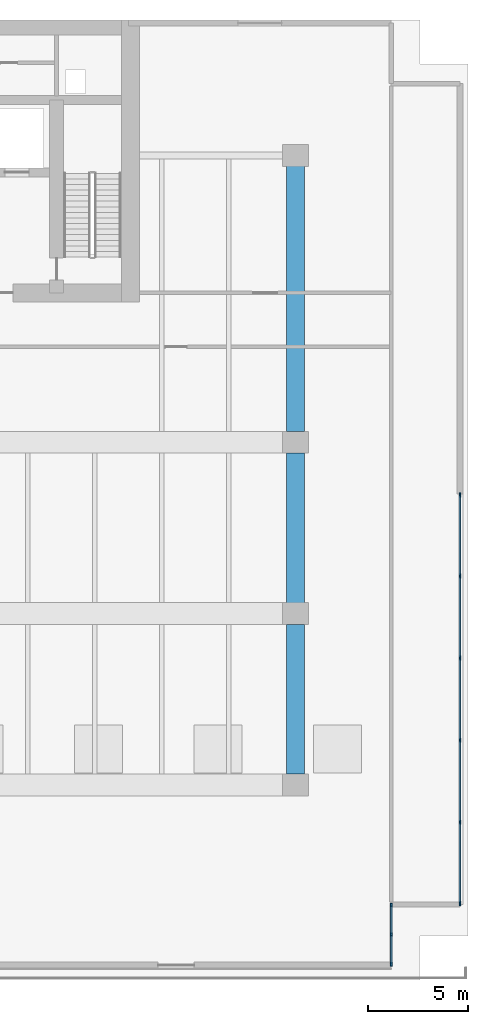
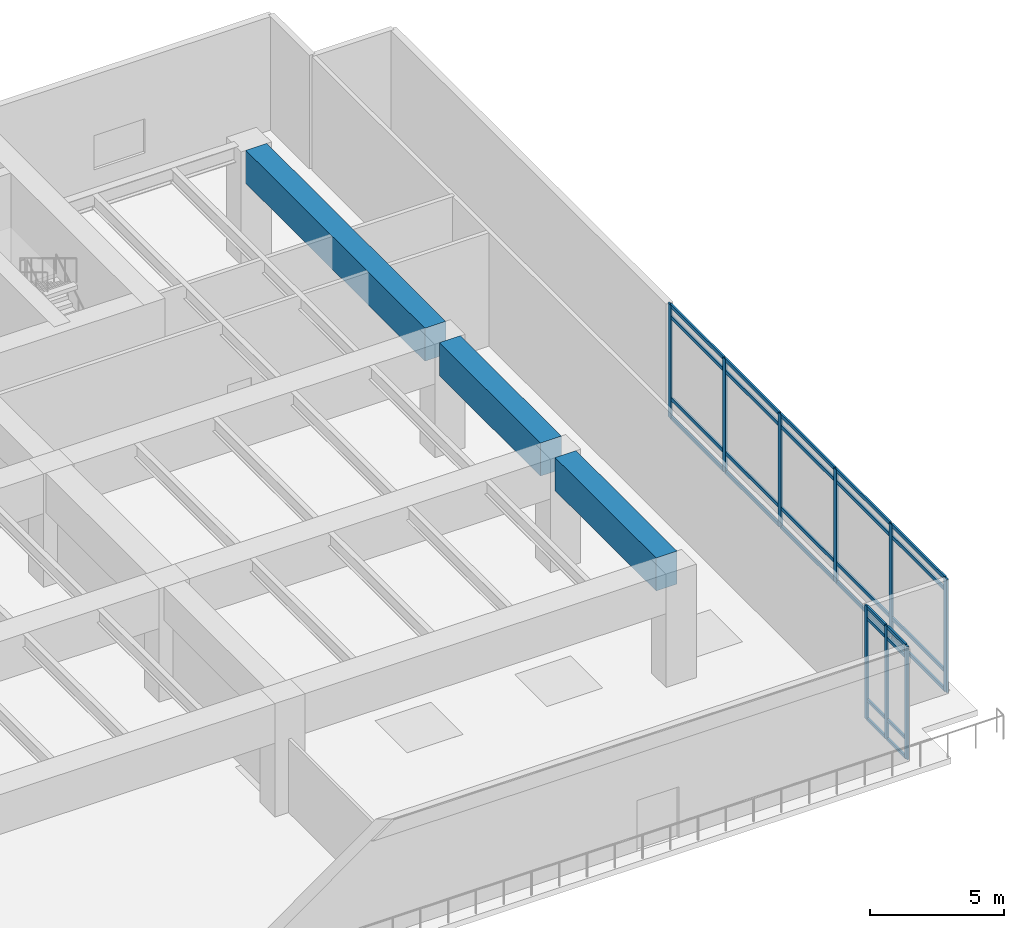
# One storey, part 4 of 12: 37 members, 3 beams, 2 elements without a shape of their own.
"""IFC4 building model written with IfcOpenShell, lengths in metres."""

from ifc_helpers import new_model, si_unit, direction, frame, origin, origin_2d, place, context, subcontext, project, spatial, rectangle, extrude, material, layer, layer_set, material_profile, profile_set, type_object, element, aggregate, save


model = new_model("IFC4")

# Units and contexts
model_context = context("Model", 3, precision=1e-05, world=origin(), true_north=direction((0.0, 1.0)))
body_context = subcontext(model_context, "Body", "Model", "MODEL_VIEW")
ifc_project = project(units=[si_unit("LENGTHUNIT", "METRE"), si_unit("AREAUNIT", "SQUARE_METRE"), si_unit("VOLUMEUNIT", "CUBIC_METRE"), si_unit("PLANEANGLEUNIT", "RADIAN"), si_unit("MASSUNIT", "GRAM", prefix="KILO")], contexts=[model_context])

# Site, building, storey
site_placement = place(None, origin())
site = spatial("IfcSite", under=ifc_project, at=site_placement, CompositionType="ELEMENT")
building_placement = place(site_placement, origin())
building = spatial("IfcBuilding", under=site, at=building_placement, Name="Caelmar Bay Residences", CompositionType="ELEMENT")
storey_placement = place(building_placement, frame((0.0, 0.0, 24.60009765625)))
storey = spatial("IfcBuildingStorey", under=building, at=storey_placement, Name="L05", CompositionType="ELEMENT", Elevation=24.60009765625)

# Beams
ifc_material_1 = material(Name="Concrete f'c 70 MPa (10,000 psi)", Category="concrete")
ifc_material_profile_1 = material_profile(ifc_material_1, rectangle(XDim=0.89990234375, YDim=1.5, at=origin_2d()), Name="RC-BM-900X1500")
ifc_profile_set_1 = profile_set([ifc_material_profile_1], Name="Concrete f'c 70 MPa (10,000 psi)")
beam_type = type_object("IfcBeamType", Name="BM-XFR-900X1500", PredefinedType="BEAM", material=ifc_profile_set_1)
for number, where, z_axis, x_axis, name in (
    (1, (67.89990234375, 12.739990234375, 4.39990234375), (0.0, 1.0, 0.0), (-1.0, 0.0, 0.0), "L05 North-South Girder X=67.90 (12.2-20.8)"),
    (2, (67.89990234375, 21.340087890625, 4.39990234375), (0.0, 1.0, 0.0), (-1.0, 0.0, 0.0), "L05 North-South Girder X=67.90 (20.8-29.4)"),
):
    element("IfcBeam", number, at=place(storey_placement, frame(where, z_axis=z_axis, x_axis=x_axis)), inside=storey, type_object=beam_type, Name=name, PredefinedType="BEAM", context=body_context, shape_type="SweptSolid", body=[
        extrude(rectangle(XDim=0.89990234375, YDim=1.5, at=origin_2d()), origin(), (0.0, 0.0, 1.0), 7.52001953125),
    ])
beam_placement = place(storey_placement, frame((67.89990234375, 29.93994140625, 4.39990234375), z_axis=(0.0, 1.0, 0.0), x_axis=(-1.0, 0.0, 0.0)))
element("IfcBeam", 3, at=beam_placement, inside=storey, type_object=beam_type, Name="L05 North-South Girder X=67.90 (29.4-43.8)", PredefinedType="BEAM", context=body_context, shape_type="SweptSolid", body=[
    extrude(rectangle(XDim=0.89990234375, YDim=1.5, at=origin_2d()), origin(), (0.0, 0.0, 1.0), 13.320068359375),
])

# Curtain wall, members
ifc_material_2 = material(Name="Anodised bronze aluminium 6063-T6 and laminated glass", Category="aluminium")
ifc_layer_1 = layer(ifc_material_2, 0.179931640625)
ifc_layer_set_1 = layer_set([ifc_layer_1], Name="Anodised bronze aluminium 6063-T6 and laminated glass")
curtain_wall_type_1 = type_object("IfcCurtainWallType", Name="CW6-NTC", PredefinedType="NOTDEFINED", material=ifc_layer_set_1)
curtain_wall_1_placement = place(storey_placement, origin())
curtain_wall_1 = element("IfcCurtainWall", 4, at=curtain_wall_1_placement, inside=storey, type_object=curtain_wall_type_1, Name="CW6 curtain wall L05", PredefinedType="NOTDEFINED")
ifc_material_3 = material(Name="Anodised bronze aluminium 6063-T6", Category="aluminium")
ifc_material_profile_2 = material_profile(ifc_material_3, rectangle(XDim=0.080078125, YDim=0.179931640625, at=origin_2d()), Name="CWM-80X180")
ifc_profile_set_2 = profile_set([ifc_material_profile_2], Name="Anodised bronze aluminium 6063-T6")
member_type_1 = type_object("IfcMemberType", Name="CWM-180", PredefinedType="MULLION", material=ifc_profile_set_2)
member_1_placement = place(storey_placement, frame((72.699951171875, 3.18994140625, 0.0), z_axis=(0.0, 0.0, 1.0), x_axis=(-1.0, 0.0, 0.0)))
member_1 = element("IfcMember", 5, at=member_1_placement, type_object=member_type_1, Name="CW6 mullion 1", PredefinedType="MULLION", context=body_context, shape_type="SweptSolid", body=[
    extrude(rectangle(XDim=0.080078125, YDim=0.179931640625, at=origin_2d()), origin(), (0.0, 0.0, 1.0), 5.14990234375),
])
member_2_placement = place(storey_placement, frame((72.699951171875, 4.675048828125, 0.0), z_axis=(0.0, 0.0, 1.0), x_axis=(-1.0, 0.0, 0.0)))
member_2 = element("IfcMember", 6, at=member_2_placement, type_object=member_type_1, Name="CW6 mullion 2", PredefinedType="MULLION", context=body_context, shape_type="SweptSolid", body=[
    extrude(rectangle(XDim=0.080078125, YDim=0.179931640625, at=origin_2d()), origin(), (0.0, 0.0, 1.0), 5.14990234375),
])
member_3_placement = place(storey_placement, frame((72.699951171875, 6.159912109375, 0.0), z_axis=(0.0, 0.0, 1.0), x_axis=(-1.0, 0.0, 0.0)))
member_3 = element("IfcMember", 7, at=member_3_placement, type_object=member_type_1, Name="CW6 mullion 3", PredefinedType="MULLION", context=body_context, shape_type="SweptSolid", body=[
    extrude(rectangle(XDim=0.080078125, YDim=0.179931640625, at=origin_2d()), origin(), (0.0, 0.0, 1.0), 5.14990234375),
])

ifc_layer_2 = layer(ifc_material_2, 0.179931640625)
ifc_layer_set_2 = layer_set([ifc_layer_2], Name="Anodised bronze aluminium 6063-T6 and laminated glass")
curtain_wall_type_2 = type_object("IfcCurtainWallType", Name="CW1-POD", PredefinedType="NOTDEFINED", material=ifc_layer_set_2)
curtain_wall_2_placement = place(storey_placement, origin())
curtain_wall_2 = element("IfcCurtainWall", 8, at=curtain_wall_2_placement, inside=storey, type_object=curtain_wall_type_2, Name="CW1 curtain wall L05", PredefinedType="NOTDEFINED")
ifc_material_profile_3 = material_profile(ifc_material_3, rectangle(XDim=0.080078125, YDim=0.219970703125, at=origin_2d()), Name="CWM-80X220")
ifc_profile_set_3 = profile_set([ifc_material_profile_3], Name="Anodised bronze aluminium 6063-T6")
member_type_2 = type_object("IfcMemberType", Name="CWM-220", PredefinedType="MULLION", material=ifc_profile_set_3)
member_4_placement = place(storey_placement, frame((76.14990234375, 26.760009765625, 0.0), z_axis=(0.0, 0.0, 1.0), x_axis=(1.0, 0.0, 0.0)))
member_4 = element("IfcMember", 9, at=member_4_placement, type_object=member_type_2, Name="CW1 mullion 1", PredefinedType="MULLION", context=body_context, shape_type="SweptSolid", body=[
    extrude(rectangle(XDim=0.080078125, YDim=0.219970703125, at=origin_2d()), origin(), (0.0, 0.0, 1.0), 5.14990234375),
])
member_5_placement = place(storey_placement, frame((76.14990234375, 22.679931640625, 0.0), z_axis=(0.0, 0.0, 1.0), x_axis=(1.0, 0.0, 0.0)))
member_5 = element("IfcMember", 10, at=member_5_placement, type_object=member_type_2, Name="CW1 mullion 2", PredefinedType="MULLION", context=body_context, shape_type="SweptSolid", body=[
    extrude(rectangle(XDim=0.080078125, YDim=0.219970703125, at=origin_2d()), origin(), (0.0, 0.0, 1.0), 5.14990234375),
])
member_6_placement = place(storey_placement, frame((76.14990234375, 18.56005859375, 0.0), z_axis=(0.0, 0.0, 1.0), x_axis=(1.0, 0.0, 0.0)))
member_6 = element("IfcMember", 11, at=member_6_placement, type_object=member_type_2, Name="CW1 mullion 3", PredefinedType="MULLION", context=body_context, shape_type="SweptSolid", body=[
    extrude(rectangle(XDim=0.080078125, YDim=0.219970703125, at=origin_2d()), origin(), (0.0, 0.0, 1.0), 5.14990234375),
])
member_7_placement = place(storey_placement, frame((76.14990234375, 14.43994140625, 0.0), z_axis=(0.0, 0.0, 1.0), x_axis=(1.0, 0.0, 0.0)))
member_7 = element("IfcMember", 12, at=member_7_placement, type_object=member_type_2, Name="CW1 mullion 4", PredefinedType="MULLION", context=body_context, shape_type="SweptSolid", body=[
    extrude(rectangle(XDim=0.080078125, YDim=0.219970703125, at=origin_2d()), origin(), (0.0, 0.0, 1.0), 5.14990234375),
])
member_8_placement = place(storey_placement, frame((76.14990234375, 10.320068359375, 0.0), z_axis=(0.0, 0.0, 1.0), x_axis=(1.0, 0.0, 0.0)))
member_8 = element("IfcMember", 13, at=member_8_placement, type_object=member_type_2, Name="CW1 mullion 5", PredefinedType="MULLION", context=body_context, shape_type="SweptSolid", body=[
    extrude(rectangle(XDim=0.080078125, YDim=0.219970703125, at=origin_2d()), origin(), (0.0, 0.0, 1.0), 5.14990234375),
])
member_9_placement = place(storey_placement, frame((76.14990234375, 6.239990234375, 0.0), z_axis=(0.0, 0.0, 1.0), x_axis=(1.0, 0.0, 0.0)))
member_9 = element("IfcMember", 14, at=member_9_placement, type_object=member_type_2, Name="CW1 mullion 6", PredefinedType="MULLION", context=body_context, shape_type="SweptSolid", body=[
    extrude(rectangle(XDim=0.080078125, YDim=0.219970703125, at=origin_2d()), origin(), (0.0, 0.0, 1.0), 5.14990234375),
])

# Member
ifc_material_profile_4 = material_profile(ifc_material_3, rectangle(XDim=0.080078125, YDim=0.139892578125, at=origin_2d()), Name="CWT-80X140")
ifc_profile_set_4 = profile_set([ifc_material_profile_4], Name="Anodised bronze aluminium 6063-T6")
member_type_3 = type_object("IfcMemberType", Name="CWT-140", PredefinedType="NOTDEFINED", material=ifc_profile_set_4)
member_10_placement = place(storey_placement, frame((72.699951171875, 3.22998046875, 0.039794921875), z_axis=(0.0, 1.0, 0.0), x_axis=(-1.0, 0.0, 0.0)))
member_10 = element("IfcMember", 15, at=member_10_placement, type_object=member_type_3, Name="CW6 transom 1.1", ObjectType="TRANSOM", PredefinedType="USERDEFINED", context=body_context, shape_type="SweptSolid", body=[
    extrude(rectangle(XDim=0.080078125, YDim=0.139892578125, at=origin_2d()), origin(), (0.0, 0.0, 1.0), 1.405029296875),
])

member_11_placement = place(storey_placement, frame((72.699951171875, 3.22998046875, 0.89990234375), z_axis=(0.0, 1.0, 0.0), x_axis=(-1.0, 0.0, 0.0)))
member_11 = element("IfcMember", 16, at=member_11_placement, type_object=member_type_3, Name="CW6 transom 1.2", ObjectType="TRANSOM", PredefinedType="USERDEFINED", context=body_context, shape_type="SweptSolid", body=[
    extrude(rectangle(XDim=0.080078125, YDim=0.139892578125, at=origin_2d()), origin(), (0.0, 0.0, 1.0), 1.405029296875),
])

member_12_placement = place(storey_placement, frame((72.699951171875, 3.22998046875, 4.599853515625), z_axis=(0.0, 1.0, 0.0), x_axis=(-1.0, 0.0, 0.0)))
member_12 = element("IfcMember", 17, at=member_12_placement, type_object=member_type_3, Name="CW6 transom 1.3", ObjectType="TRANSOM", PredefinedType="USERDEFINED", context=body_context, shape_type="SweptSolid", body=[
    extrude(rectangle(XDim=0.080078125, YDim=0.139892578125, at=origin_2d()), origin(), (0.0, 0.0, 1.0), 1.405029296875),
])

member_13_placement = place(storey_placement, frame((72.699951171875, 3.22998046875, 5.10986328125), z_axis=(0.0, 1.0, 0.0), x_axis=(-1.0, 0.0, 0.0)))
member_13 = element("IfcMember", 18, at=member_13_placement, type_object=member_type_3, Name="CW6 transom 1.4", ObjectType="TRANSOM", PredefinedType="USERDEFINED", context=body_context, shape_type="SweptSolid", body=[
    extrude(rectangle(XDim=0.080078125, YDim=0.139892578125, at=origin_2d()), origin(), (0.0, 0.0, 1.0), 1.405029296875),
])

member_14_placement = place(storey_placement, frame((72.699951171875, 4.715087890625, 0.039794921875), z_axis=(0.0, 1.0, 0.0), x_axis=(-1.0, 0.0, 0.0)))
member_14 = element("IfcMember", 19, at=member_14_placement, type_object=member_type_3, Name="CW6 transom 2.1", ObjectType="TRANSOM", PredefinedType="USERDEFINED", context=body_context, shape_type="SweptSolid", body=[
    extrude(rectangle(XDim=0.080078125, YDim=0.139892578125, at=origin_2d()), origin(), (0.0, 0.0, 1.0), 1.405029296875),
])

member_15_placement = place(storey_placement, frame((72.699951171875, 4.715087890625, 0.89990234375), z_axis=(0.0, 1.0, 0.0), x_axis=(-1.0, 0.0, 0.0)))
member_15 = element("IfcMember", 20, at=member_15_placement, type_object=member_type_3, Name="CW6 transom 2.2", ObjectType="TRANSOM", PredefinedType="USERDEFINED", context=body_context, shape_type="SweptSolid", body=[
    extrude(rectangle(XDim=0.080078125, YDim=0.139892578125, at=origin_2d()), origin(), (0.0, 0.0, 1.0), 1.405029296875),
])

member_16_placement = place(storey_placement, frame((72.699951171875, 4.715087890625, 4.599853515625), z_axis=(0.0, 1.0, 0.0), x_axis=(-1.0, 0.0, 0.0)))
member_16 = element("IfcMember", 21, at=member_16_placement, type_object=member_type_3, Name="CW6 transom 2.3", ObjectType="TRANSOM", PredefinedType="USERDEFINED", context=body_context, shape_type="SweptSolid", body=[
    extrude(rectangle(XDim=0.080078125, YDim=0.139892578125, at=origin_2d()), origin(), (0.0, 0.0, 1.0), 1.405029296875),
])

member_17_placement = place(storey_placement, frame((72.699951171875, 4.715087890625, 5.10986328125), z_axis=(0.0, 1.0, 0.0), x_axis=(-1.0, 0.0, 0.0)))
member_17 = element("IfcMember", 22, at=member_17_placement, type_object=member_type_3, Name="CW6 transom 2.4", ObjectType="TRANSOM", PredefinedType="USERDEFINED", context=body_context, shape_type="SweptSolid", body=[
    extrude(rectangle(XDim=0.080078125, YDim=0.139892578125, at=origin_2d()), origin(), (0.0, 0.0, 1.0), 1.405029296875),
])

aggregate(curtain_wall_1, [member_1, member_2, member_3, member_10, member_11, member_12, member_13, member_14, member_15, member_16, member_17])

ifc_material_profile_5 = material_profile(ifc_material_3, rectangle(XDim=0.080078125, YDim=0.159912109375, at=origin_2d()), Name="CWT-80X160")
ifc_profile_set_5 = profile_set([ifc_material_profile_5], Name="Anodised bronze aluminium 6063-T6")
member_type_4 = type_object("IfcMemberType", Name="CWT-160", PredefinedType="NOTDEFINED", material=ifc_profile_set_5)
member_18_placement = place(storey_placement, frame((76.14990234375, 26.719970703125, 0.039794921875), z_axis=(0.0, -1.0, 0.0), x_axis=(1.0, 0.0, 0.0)))
member_18 = element("IfcMember", 23, at=member_18_placement, type_object=member_type_4, Name="CW1 transom 1.1", ObjectType="TRANSOM", PredefinedType="USERDEFINED", context=body_context, shape_type="SweptSolid", body=[
    extrude(rectangle(XDim=0.080078125, YDim=0.159912109375, at=origin_2d()), origin(), (0.0, 0.0, 1.0), 4.0),
])

member_19_placement = place(storey_placement, frame((76.14990234375, 26.719970703125, 0.89990234375), z_axis=(0.0, -1.0, 0.0), x_axis=(1.0, 0.0, 0.0)))
member_19 = element("IfcMember", 24, at=member_19_placement, type_object=member_type_4, Name="CW1 transom 1.2", ObjectType="TRANSOM", PredefinedType="USERDEFINED", context=body_context, shape_type="SweptSolid", body=[
    extrude(rectangle(XDim=0.080078125, YDim=0.159912109375, at=origin_2d()), origin(), (0.0, 0.0, 1.0), 4.0),
])

member_20_placement = place(storey_placement, frame((76.14990234375, 26.719970703125, 4.599853515625), z_axis=(0.0, -1.0, 0.0), x_axis=(1.0, 0.0, 0.0)))
member_20 = element("IfcMember", 25, at=member_20_placement, type_object=member_type_4, Name="CW1 transom 1.3", ObjectType="TRANSOM", PredefinedType="USERDEFINED", context=body_context, shape_type="SweptSolid", body=[
    extrude(rectangle(XDim=0.080078125, YDim=0.159912109375, at=origin_2d()), origin(), (0.0, 0.0, 1.0), 4.0),
])

member_21_placement = place(storey_placement, frame((76.14990234375, 26.719970703125, 5.10986328125), z_axis=(0.0, -1.0, 0.0), x_axis=(1.0, 0.0, 0.0)))
member_21 = element("IfcMember", 26, at=member_21_placement, type_object=member_type_4, Name="CW1 transom 1.4", ObjectType="TRANSOM", PredefinedType="USERDEFINED", context=body_context, shape_type="SweptSolid", body=[
    extrude(rectangle(XDim=0.080078125, YDim=0.159912109375, at=origin_2d()), origin(), (0.0, 0.0, 1.0), 4.0),
])

member_22_placement = place(storey_placement, frame((76.14990234375, 22.639892578125, 0.039794921875), z_axis=(0.0, -1.0, 0.0), x_axis=(1.0, 0.0, 0.0)))
member_22 = element("IfcMember", 27, at=member_22_placement, type_object=member_type_4, Name="CW1 transom 2.1", ObjectType="TRANSOM", PredefinedType="USERDEFINED", context=body_context, shape_type="SweptSolid", body=[
    extrude(rectangle(XDim=0.080078125, YDim=0.159912109375, at=origin_2d()), origin(), (0.0, 0.0, 1.0), 4.039794921875),
])

member_23_placement = place(storey_placement, frame((76.14990234375, 22.639892578125, 0.89990234375), z_axis=(0.0, -1.0, 0.0), x_axis=(1.0, 0.0, 0.0)))
member_23 = element("IfcMember", 28, at=member_23_placement, type_object=member_type_4, Name="CW1 transom 2.2", ObjectType="TRANSOM", PredefinedType="USERDEFINED", context=body_context, shape_type="SweptSolid", body=[
    extrude(rectangle(XDim=0.080078125, YDim=0.159912109375, at=origin_2d()), origin(), (0.0, 0.0, 1.0), 4.039794921875),
])

member_24_placement = place(storey_placement, frame((76.14990234375, 22.639892578125, 4.599853515625), z_axis=(0.0, -1.0, 0.0), x_axis=(1.0, 0.0, 0.0)))
member_24 = element("IfcMember", 29, at=member_24_placement, type_object=member_type_4, Name="CW1 transom 2.3", ObjectType="TRANSOM", PredefinedType="USERDEFINED", context=body_context, shape_type="SweptSolid", body=[
    extrude(rectangle(XDim=0.080078125, YDim=0.159912109375, at=origin_2d()), origin(), (0.0, 0.0, 1.0), 4.039794921875),
])

member_25_placement = place(storey_placement, frame((76.14990234375, 22.639892578125, 5.10986328125), z_axis=(0.0, -1.0, 0.0), x_axis=(1.0, 0.0, 0.0)))
member_25 = element("IfcMember", 30, at=member_25_placement, type_object=member_type_4, Name="CW1 transom 2.4", ObjectType="TRANSOM", PredefinedType="USERDEFINED", context=body_context, shape_type="SweptSolid", body=[
    extrude(rectangle(XDim=0.080078125, YDim=0.159912109375, at=origin_2d()), origin(), (0.0, 0.0, 1.0), 4.039794921875),
])

member_26_placement = place(storey_placement, frame((76.14990234375, 18.52001953125, 0.039794921875), z_axis=(0.0, -1.0, 0.0), x_axis=(1.0, 0.0, 0.0)))
member_26 = element("IfcMember", 31, at=member_26_placement, type_object=member_type_4, Name="CW1 transom 3.1", ObjectType="TRANSOM", PredefinedType="USERDEFINED", context=body_context, shape_type="SweptSolid", body=[
    extrude(rectangle(XDim=0.080078125, YDim=0.159912109375, at=origin_2d()), origin(), (0.0, 0.0, 1.0), 4.0400390625),
])

member_27_placement = place(storey_placement, frame((76.14990234375, 18.52001953125, 0.89990234375), z_axis=(0.0, -1.0, 0.0), x_axis=(1.0, 0.0, 0.0)))
member_27 = element("IfcMember", 32, at=member_27_placement, type_object=member_type_4, Name="CW1 transom 3.2", ObjectType="TRANSOM", PredefinedType="USERDEFINED", context=body_context, shape_type="SweptSolid", body=[
    extrude(rectangle(XDim=0.080078125, YDim=0.159912109375, at=origin_2d()), origin(), (0.0, 0.0, 1.0), 4.0400390625),
])

member_28_placement = place(storey_placement, frame((76.14990234375, 18.52001953125, 4.599853515625), z_axis=(0.0, -1.0, 0.0), x_axis=(1.0, 0.0, 0.0)))
member_28 = element("IfcMember", 33, at=member_28_placement, type_object=member_type_4, Name="CW1 transom 3.3", ObjectType="TRANSOM", PredefinedType="USERDEFINED", context=body_context, shape_type="SweptSolid", body=[
    extrude(rectangle(XDim=0.080078125, YDim=0.159912109375, at=origin_2d()), origin(), (0.0, 0.0, 1.0), 4.0400390625),
])

member_29_placement = place(storey_placement, frame((76.14990234375, 18.52001953125, 5.10986328125), z_axis=(0.0, -1.0, 0.0), x_axis=(1.0, 0.0, 0.0)))
member_29 = element("IfcMember", 34, at=member_29_placement, type_object=member_type_4, Name="CW1 transom 3.4", ObjectType="TRANSOM", PredefinedType="USERDEFINED", context=body_context, shape_type="SweptSolid", body=[
    extrude(rectangle(XDim=0.080078125, YDim=0.159912109375, at=origin_2d()), origin(), (0.0, 0.0, 1.0), 4.0400390625),
])

member_30_placement = place(storey_placement, frame((76.14990234375, 14.39990234375, 0.039794921875), z_axis=(0.0, -1.0, 0.0), x_axis=(1.0, 0.0, 0.0)))
member_30 = element("IfcMember", 35, at=member_30_placement, type_object=member_type_4, Name="CW1 transom 4.1", ObjectType="TRANSOM", PredefinedType="USERDEFINED", context=body_context, shape_type="SweptSolid", body=[
    extrude(rectangle(XDim=0.080078125, YDim=0.159912109375, at=origin_2d()), origin(), (0.0, 0.0, 1.0), 4.039794921875),
])

member_31_placement = place(storey_placement, frame((76.14990234375, 14.39990234375, 0.89990234375), z_axis=(0.0, -1.0, 0.0), x_axis=(1.0, 0.0, 0.0)))
member_31 = element("IfcMember", 36, at=member_31_placement, type_object=member_type_4, Name="CW1 transom 4.2", ObjectType="TRANSOM", PredefinedType="USERDEFINED", context=body_context, shape_type="SweptSolid", body=[
    extrude(rectangle(XDim=0.080078125, YDim=0.159912109375, at=origin_2d()), origin(), (0.0, 0.0, 1.0), 4.039794921875),
])

member_32_placement = place(storey_placement, frame((76.14990234375, 14.39990234375, 4.599853515625), z_axis=(0.0, -1.0, 0.0), x_axis=(1.0, 0.0, 0.0)))
member_32 = element("IfcMember", 37, at=member_32_placement, type_object=member_type_4, Name="CW1 transom 4.3", ObjectType="TRANSOM", PredefinedType="USERDEFINED", context=body_context, shape_type="SweptSolid", body=[
    extrude(rectangle(XDim=0.080078125, YDim=0.159912109375, at=origin_2d()), origin(), (0.0, 0.0, 1.0), 4.039794921875),
])

member_33_placement = place(storey_placement, frame((76.14990234375, 14.39990234375, 5.10986328125), z_axis=(0.0, -1.0, 0.0), x_axis=(1.0, 0.0, 0.0)))
member_33 = element("IfcMember", 38, at=member_33_placement, type_object=member_type_4, Name="CW1 transom 4.4", ObjectType="TRANSOM", PredefinedType="USERDEFINED", context=body_context, shape_type="SweptSolid", body=[
    extrude(rectangle(XDim=0.080078125, YDim=0.159912109375, at=origin_2d()), origin(), (0.0, 0.0, 1.0), 4.039794921875),
])

member_34_placement = place(storey_placement, frame((76.14990234375, 10.280029296875, 0.039794921875), z_axis=(0.0, -1.0, 0.0), x_axis=(1.0, 0.0, 0.0)))
member_34 = element("IfcMember", 39, at=member_34_placement, type_object=member_type_4, Name="CW1 transom 5.1", ObjectType="TRANSOM", PredefinedType="USERDEFINED", context=body_context, shape_type="SweptSolid", body=[
    extrude(rectangle(XDim=0.080078125, YDim=0.159912109375, at=origin_2d()), origin(), (0.0, 0.0, 1.0), 4.0),
])

member_35_placement = place(storey_placement, frame((76.14990234375, 10.280029296875, 0.89990234375), z_axis=(0.0, -1.0, 0.0), x_axis=(1.0, 0.0, 0.0)))
member_35 = element("IfcMember", 40, at=member_35_placement, type_object=member_type_4, Name="CW1 transom 5.2", ObjectType="TRANSOM", PredefinedType="USERDEFINED", context=body_context, shape_type="SweptSolid", body=[
    extrude(rectangle(XDim=0.080078125, YDim=0.159912109375, at=origin_2d()), origin(), (0.0, 0.0, 1.0), 4.0),
])

member_36_placement = place(storey_placement, frame((76.14990234375, 10.280029296875, 4.599853515625), z_axis=(0.0, -1.0, 0.0), x_axis=(1.0, 0.0, 0.0)))
member_36 = element("IfcMember", 41, at=member_36_placement, type_object=member_type_4, Name="CW1 transom 5.3", ObjectType="TRANSOM", PredefinedType="USERDEFINED", context=body_context, shape_type="SweptSolid", body=[
    extrude(rectangle(XDim=0.080078125, YDim=0.159912109375, at=origin_2d()), origin(), (0.0, 0.0, 1.0), 4.0),
])

member_37_placement = place(storey_placement, frame((76.14990234375, 10.280029296875, 5.10986328125), z_axis=(0.0, -1.0, 0.0), x_axis=(1.0, 0.0, 0.0)))
member_37 = element("IfcMember", 42, at=member_37_placement, type_object=member_type_4, Name="CW1 transom 5.4", ObjectType="TRANSOM", PredefinedType="USERDEFINED", context=body_context, shape_type="SweptSolid", body=[
    extrude(rectangle(XDim=0.080078125, YDim=0.159912109375, at=origin_2d()), origin(), (0.0, 0.0, 1.0), 4.0),
])

aggregate(curtain_wall_2, [member_4, member_5, member_6, member_7, member_8, member_9, member_18, member_19, member_20, member_21, member_22, member_23, member_24, member_25, member_26, member_27, member_28, member_29, member_30, member_31, member_32, member_33, member_34, member_35, member_36, member_37])

save(model, "model.ifc")
